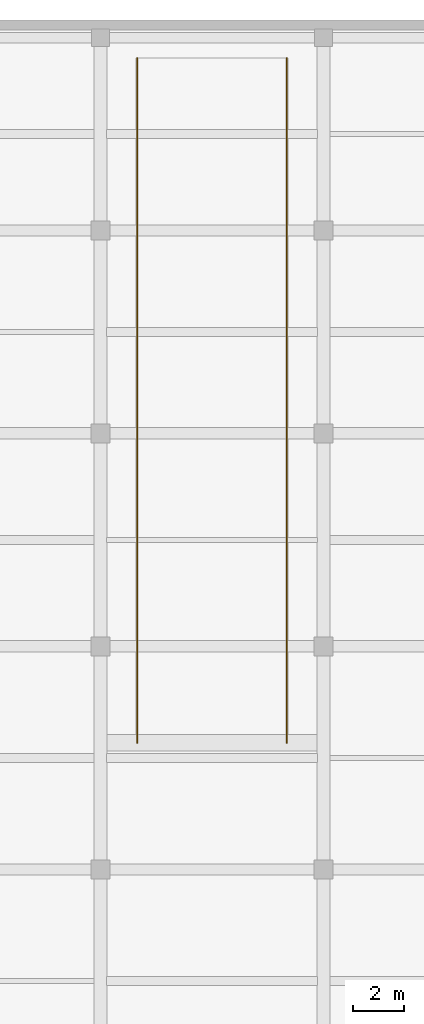
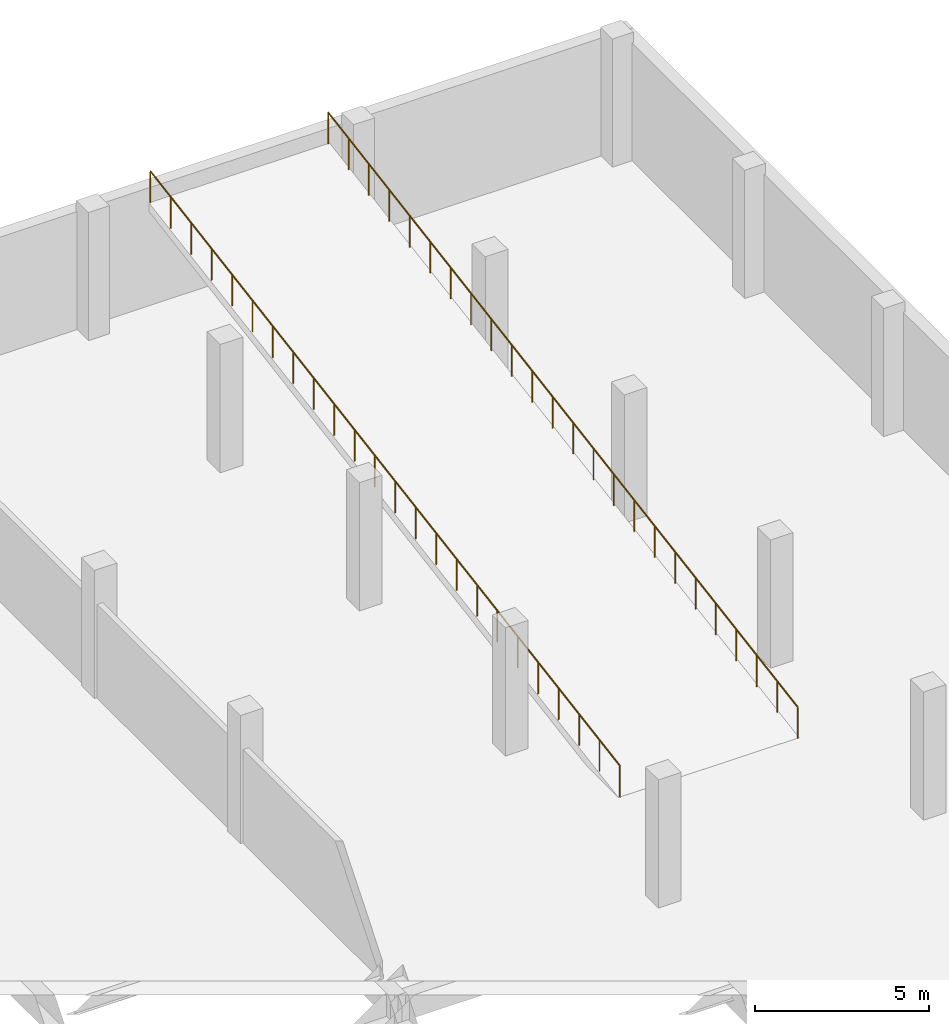
# One storey, part 31 of 31: 2 railings.
"""IFC4 building model written with IfcOpenShell, lengths in metres."""

from ifc_helpers import new_model, si_unit, direction, frame, origin, origin_2d, place, context, subcontext, project, spatial, circle, extrude, material, layer, layer_set, type_object, element, save


model = new_model("IFC4")

# Units and contexts
model_context = context("Model", 3, precision=1e-05, world=origin(), true_north=direction((0.0, 1.0)))
body_context = subcontext(model_context, "Body", "Model", "MODEL_VIEW")
ifc_project = project(units=[si_unit("LENGTHUNIT", "METRE"), si_unit("AREAUNIT", "SQUARE_METRE"), si_unit("VOLUMEUNIT", "CUBIC_METRE"), si_unit("PLANEANGLEUNIT", "RADIAN"), si_unit("MASSUNIT", "GRAM", prefix="KILO")], contexts=[model_context])

# Site, building, storey
site_placement = place(None, origin())
site = spatial("IfcSite", under=ifc_project, at=site_placement, CompositionType="ELEMENT")
building_placement = place(site_placement, origin())
building = spatial("IfcBuilding", under=site, at=building_placement, Name="Meriwether Solvik Hall", CompositionType="ELEMENT")
storey_placement = place(building_placement, frame((0.0, 0.0, -4.5)))
storey = spatial("IfcBuildingStorey", under=building, at=storey_placement, Name="B01", CompositionType="ELEMENT", Elevation=-4.5)

# Railings
ifc_material = material(Name="Steel A36 Galvanised", Category="steel")
ifc_layer = layer(ifc_material, 0.054931640625)
ifc_layer_set = layer_set([ifc_layer], Name="Steel A36 Galvanised")
railing_type = type_object("IfcRailingType", Name="RAIL-STR-GUARD", PredefinedType="GUARDRAIL", material=ifc_layer_set)
railing_1_placement = place(storey_placement, frame((150.85009765625, 89.0, 0.0)))
element("IfcRailing", 1, at=railing_1_placement, inside=storey, type_object=railing_type, Name="Vehicle Ramp Side Guardrail W", PredefinedType="GUARDRAIL", context=body_context, shape_type="SweptSolid", body=[
    extrude(circle(Radius=0.02392578125, at=origin_2d()), frame((0.0, 0.0, 1.09619140625), z_axis=(0.0, 0.986393923832, 0.164398987305), x_axis=(-1.0, 0.0, 0.0)), (0.0, 0.0, 1.0), 27.372314453125),
    extrude(circle(Radius=0.02099609375, at=origin_2d()), origin(), (0.0, 0.0, 1.0), 1.072021484375),
    extrude(circle(Radius=0.02099609375, at=origin_2d()), frame((0.0, 1.173828125, 0.195556640625)), (0.0, 0.0, 1.0), 1.072021484375),
    extrude(circle(Radius=0.02099609375, at=origin_2d()), frame((0.0, 2.347900390625, 0.391357421875)), (0.0, 0.0, 1.0), 1.072021484375),
    extrude(circle(Radius=0.02099609375, at=origin_2d()), frame((0.0, 3.521728515625, 0.5869140625)), (0.0, 0.0, 1.0), 1.072021484375),
    extrude(circle(Radius=0.02099609375, at=origin_2d()), frame((0.0, 4.695556640625, 0.78271484375)), (0.0, 0.0, 1.0), 1.072021484375),
    extrude(circle(Radius=0.02099609375, at=origin_2d()), frame((0.0, 5.86962890625, 0.978271484375)), (0.0, 0.0, 1.0), 1.072021484375),
    extrude(circle(Radius=0.02099609375, at=origin_2d()), frame((0.0, 7.04345703125, 1.173828125)), (0.0, 0.0, 1.0), 1.072021484375),
    extrude(circle(Radius=0.02099609375, at=origin_2d()), frame((0.0, 8.21728515625, 1.36962890625)), (0.0, 0.0, 1.0), 1.072021484375),
    extrude(circle(Radius=0.02099609375, at=origin_2d()), frame((0.0, 9.391357421875, 1.565185546875)), (0.0, 0.0, 1.0), 1.072021484375),
    extrude(circle(Radius=0.02099609375, at=origin_2d()), frame((0.0, 10.565185546875, 1.760986328125)), (0.0, 0.0, 1.0), 1.072021484375),
    extrude(circle(Radius=0.02099609375, at=origin_2d()), frame((0.0, 11.739013671875, 1.95654296875)), (0.0, 0.0, 1.0), 1.072021484375),
    extrude(circle(Radius=0.02099609375, at=origin_2d()), frame((0.0, 12.9130859375, 2.152099609375)), (0.0, 0.0, 1.0), 1.072021484375),
    extrude(circle(Radius=0.02099609375, at=origin_2d()), frame((0.0, 14.0869140625, 2.347900390625)), (0.0, 0.0, 1.0), 1.072021484375),
    extrude(circle(Radius=0.02099609375, at=origin_2d()), frame((0.0, 15.260986328125, 2.54345703125)), (0.0, 0.0, 1.0), 1.072021484375),
    extrude(circle(Radius=0.02099609375, at=origin_2d()), frame((0.0, 16.434814453125, 2.739013671875)), (0.0, 0.0, 1.0), 1.072021484375),
    extrude(circle(Radius=0.02099609375, at=origin_2d()), frame((0.0, 17.608642578125, 2.934814453125)), (0.0, 0.0, 1.0), 1.072021484375),
    extrude(circle(Radius=0.02099609375, at=origin_2d()), frame((0.0, 18.78271484375, 3.13037109375)), (0.0, 0.0, 1.0), 1.072021484375),
    extrude(circle(Radius=0.02099609375, at=origin_2d()), frame((0.0, 19.95654296875, 3.326171875)), (0.0, 0.0, 1.0), 1.072021484375),
    extrude(circle(Radius=0.02099609375, at=origin_2d()), frame((0.0, 21.13037109375, 3.521728515625)), (0.0, 0.0, 1.0), 1.072021484375),
    extrude(circle(Radius=0.02099609375, at=origin_2d()), frame((0.0, 22.304443359375, 3.71728515625)), (0.0, 0.0, 1.0), 1.072021484375),
    extrude(circle(Radius=0.02099609375, at=origin_2d()), frame((0.0, 23.478271484375, 3.9130859375)), (0.0, 0.0, 1.0), 1.072021484375),
    extrude(circle(Radius=0.02099609375, at=origin_2d()), frame((0.0, 24.652099609375, 4.108642578125)), (0.0, 0.0, 1.0), 1.072021484375),
    extrude(circle(Radius=0.02099609375, at=origin_2d()), frame((0.0, 25.826171875, 4.304443359375)), (0.0, 0.0, 1.0), 1.072021484375),
    extrude(circle(Radius=0.02099609375, at=origin_2d()), frame((0.0, 27.0, 4.5)), (0.0, 0.0, 1.0), 1.072021484375),
])
railing_2_placement = place(storey_placement, frame((156.75, 89.0, 0.0)))
element("IfcRailing", 2, at=railing_2_placement, inside=storey, type_object=railing_type, Name="Vehicle Ramp Side Guardrail E", PredefinedType="GUARDRAIL", context=body_context, shape_type="SweptSolid", body=[
    extrude(circle(Radius=0.02392578125, at=origin_2d()), frame((0.0, 0.0, 1.09619140625), z_axis=(0.0, 0.986393923832, 0.164398987305), x_axis=(-1.0, 0.0, 0.0)), (0.0, 0.0, 1.0), 27.372314453125),
    extrude(circle(Radius=0.02099609375, at=origin_2d()), origin(), (0.0, 0.0, 1.0), 1.072021484375),
    extrude(circle(Radius=0.02099609375, at=origin_2d()), frame((0.0, 1.173828125, 0.195556640625)), (0.0, 0.0, 1.0), 1.072021484375),
    extrude(circle(Radius=0.02099609375, at=origin_2d()), frame((0.0, 2.347900390625, 0.391357421875)), (0.0, 0.0, 1.0), 1.072021484375),
    extrude(circle(Radius=0.02099609375, at=origin_2d()), frame((0.0, 3.521728515625, 0.5869140625)), (0.0, 0.0, 1.0), 1.072021484375),
    extrude(circle(Radius=0.02099609375, at=origin_2d()), frame((0.0, 4.695556640625, 0.78271484375)), (0.0, 0.0, 1.0), 1.072021484375),
    extrude(circle(Radius=0.02099609375, at=origin_2d()), frame((0.0, 5.86962890625, 0.978271484375)), (0.0, 0.0, 1.0), 1.072021484375),
    extrude(circle(Radius=0.02099609375, at=origin_2d()), frame((0.0, 7.04345703125, 1.173828125)), (0.0, 0.0, 1.0), 1.072021484375),
    extrude(circle(Radius=0.02099609375, at=origin_2d()), frame((0.0, 8.21728515625, 1.36962890625)), (0.0, 0.0, 1.0), 1.072021484375),
    extrude(circle(Radius=0.02099609375, at=origin_2d()), frame((0.0, 9.391357421875, 1.565185546875)), (0.0, 0.0, 1.0), 1.072021484375),
    extrude(circle(Radius=0.02099609375, at=origin_2d()), frame((0.0, 10.565185546875, 1.760986328125)), (0.0, 0.0, 1.0), 1.072021484375),
    extrude(circle(Radius=0.02099609375, at=origin_2d()), frame((0.0, 11.739013671875, 1.95654296875)), (0.0, 0.0, 1.0), 1.072021484375),
    extrude(circle(Radius=0.02099609375, at=origin_2d()), frame((0.0, 12.9130859375, 2.152099609375)), (0.0, 0.0, 1.0), 1.072021484375),
    extrude(circle(Radius=0.02099609375, at=origin_2d()), frame((0.0, 14.0869140625, 2.347900390625)), (0.0, 0.0, 1.0), 1.072021484375),
    extrude(circle(Radius=0.02099609375, at=origin_2d()), frame((0.0, 15.260986328125, 2.54345703125)), (0.0, 0.0, 1.0), 1.072021484375),
    extrude(circle(Radius=0.02099609375, at=origin_2d()), frame((0.0, 16.434814453125, 2.739013671875)), (0.0, 0.0, 1.0), 1.072021484375),
    extrude(circle(Radius=0.02099609375, at=origin_2d()), frame((0.0, 17.608642578125, 2.934814453125)), (0.0, 0.0, 1.0), 1.072021484375),
    extrude(circle(Radius=0.02099609375, at=origin_2d()), frame((0.0, 18.78271484375, 3.13037109375)), (0.0, 0.0, 1.0), 1.072021484375),
    extrude(circle(Radius=0.02099609375, at=origin_2d()), frame((0.0, 19.95654296875, 3.326171875)), (0.0, 0.0, 1.0), 1.072021484375),
    extrude(circle(Radius=0.02099609375, at=origin_2d()), frame((0.0, 21.13037109375, 3.521728515625)), (0.0, 0.0, 1.0), 1.072021484375),
    extrude(circle(Radius=0.02099609375, at=origin_2d()), frame((0.0, 22.304443359375, 3.71728515625)), (0.0, 0.0, 1.0), 1.072021484375),
    extrude(circle(Radius=0.02099609375, at=origin_2d()), frame((0.0, 23.478271484375, 3.9130859375)), (0.0, 0.0, 1.0), 1.072021484375),
    extrude(circle(Radius=0.02099609375, at=origin_2d()), frame((0.0, 24.652099609375, 4.108642578125)), (0.0, 0.0, 1.0), 1.072021484375),
    extrude(circle(Radius=0.02099609375, at=origin_2d()), frame((0.0, 25.826171875, 4.304443359375)), (0.0, 0.0, 1.0), 1.072021484375),
    extrude(circle(Radius=0.02099609375, at=origin_2d()), frame((0.0, 27.0, 4.5)), (0.0, 0.0, 1.0), 1.072021484375),
])

save(model, "model.ifc")
